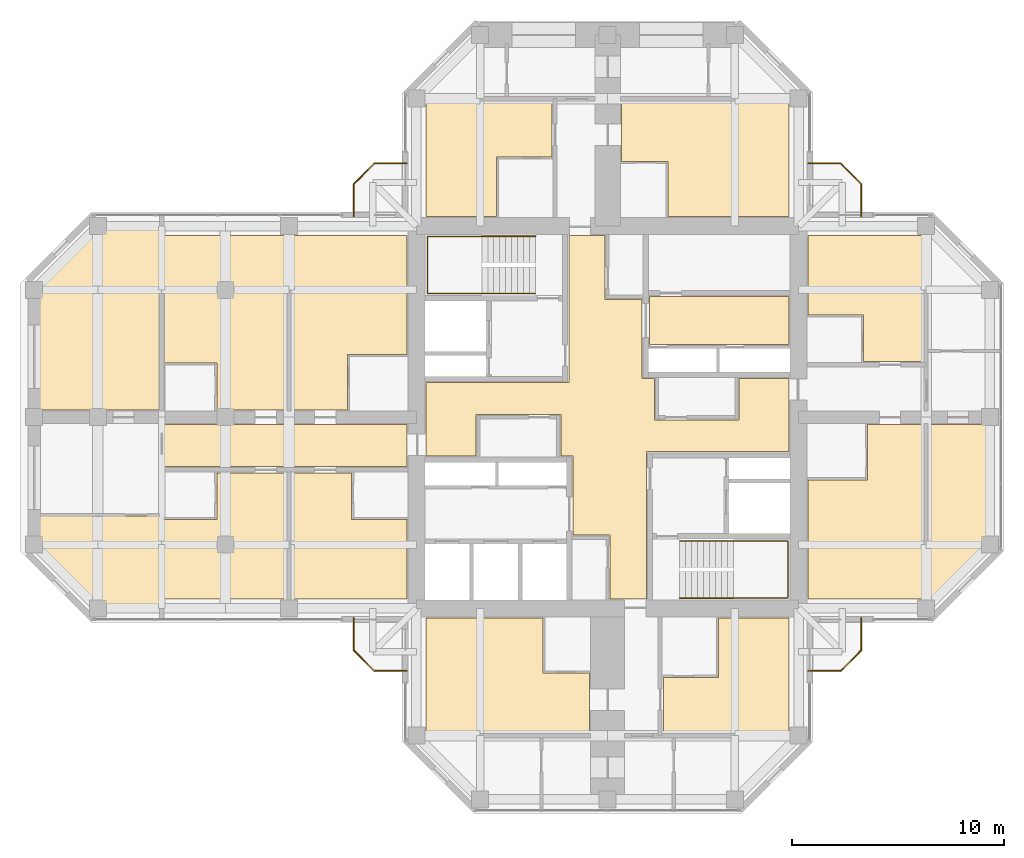
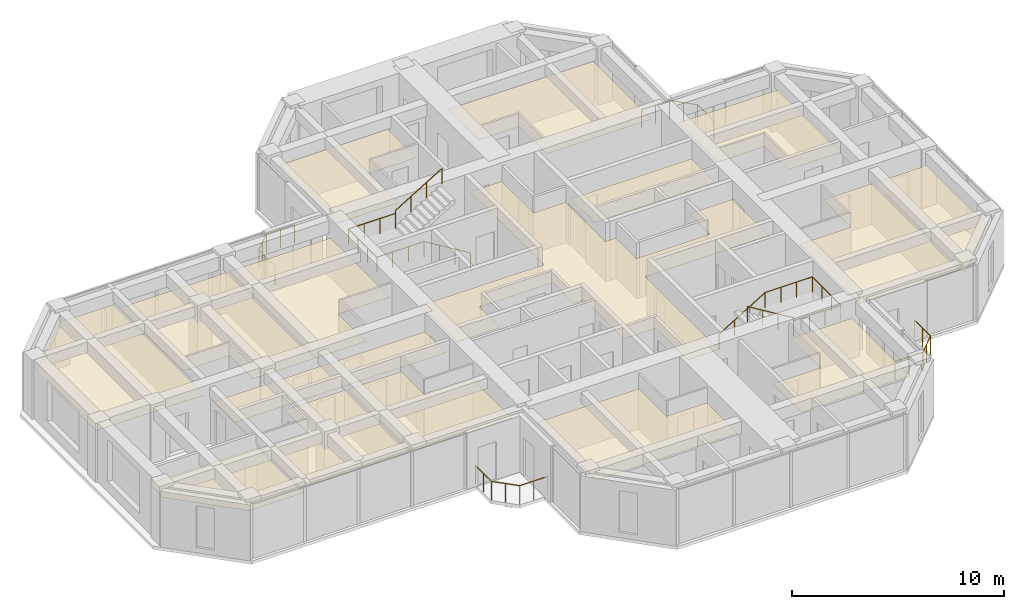
# One storey, part 14 of 14: 16 coverings, 8 railings.
"""IFC4 building model written with IfcOpenShell, lengths in metres."""

from ifc_helpers import new_model, si_unit, direction, frame, origin, origin_2d, place, context, subcontext, project, spatial, polyline, circle, outline, extrude, material, layer, layer_set, constituent, constituent_set, type_object, element, save


model = new_model("IFC4")

# Units and contexts
model_context = context("Model", 3, precision=1e-05, world=origin(), true_north=direction((0.0, 1.0)))
body_context = subcontext(model_context, "Body", "Model", "MODEL_VIEW")
ifc_project = project(units=[si_unit("LENGTHUNIT", "METRE"), si_unit("AREAUNIT", "SQUARE_METRE"), si_unit("VOLUMEUNIT", "CUBIC_METRE"), si_unit("PLANEANGLEUNIT", "RADIAN"), si_unit("MASSUNIT", "GRAM", prefix="KILO")], contexts=[model_context])

# Site, building, storey
site_placement = place(None, origin())
site = spatial("IfcSite", under=ifc_project, at=site_placement, CompositionType="ELEMENT")
building_placement = place(site_placement, origin())
building = spatial("IfcBuilding", under=site, at=building_placement, Name="Torre Cruceta", CompositionType="ELEMENT")
storey_placement = place(building_placement, frame((0.0, 0.0, 225.5)))
storey = spatial("IfcBuildingStorey", under=building, at=storey_placement, Name="L57", CompositionType="ELEMENT", Elevation=225.5)

# Railings
ifc_material_1 = material(Name="Stainless steel 1.4401", Category="steel")
ifc_constituent_1 = constituent(ifc_material_1, Name="Frame")
ifc_material_2 = material(Name="Laminated safety glass", Category="glass")
ifc_constituent_2 = constituent(ifc_material_2, Name="Infill")
ifc_constituent_set = constituent_set(constituents=[ifc_constituent_1, ifc_constituent_2], Name="Stainless steel and laminated glass balustrade")
railing_type_1 = type_object("IfcRailingType", Name="BALCONY BALUSTRADE 1100", PredefinedType="BALUSTRADE", material=ifc_constituent_set)
railing_1_placement = place(storey_placement, frame((-9.449951171875, 11.949951171875, 0.0)))
element("IfcRailing", 1, at=railing_1_placement, inside=storey, type_object=railing_type_1, Name="BL1 balcony balustrade L57 N", PredefinedType="BALUSTRADE", context=body_context, shape_type="SweptSolid", body=[
    extrude(circle(Radius=0.02392578125, at=origin_2d()), frame((0.0, 0.0, 1.076171875), z_axis=(-1.0, 0.0, 0.0), x_axis=(0.0, -1.0, 0.0)), (0.0, 0.0, 1.0), 1.529296875),
    extrude(circle(Radius=0.02392578125, at=origin_2d()), frame((-1.529296875, 0.0, 1.076171875), z_axis=(-0.707106781187, -0.707106781187, 0.0), x_axis=(0.707106781187, -0.707106781187, 0.0)), (0.0, 0.0, 1.0), 1.372802734375),
    extrude(circle(Radius=0.02392578125, at=origin_2d()), frame((-2.5, -0.970703125, 1.076171875), z_axis=(0.0, -1.0, 0.0), x_axis=(1.0, 0.0, 0.0)), (0.0, 0.0, 1.0), 1.529296875),
    extrude(circle(Radius=0.02099609375, at=origin_2d()), origin(), (0.0, 0.0, 1.0), 1.052001953125),
    extrude(circle(Radius=0.02099609375, at=origin_2d()), frame((-0.7646484375, 0.0, 0.0)), (0.0, 0.0, 1.0), 1.052001953125),
    extrude(circle(Radius=0.02099609375, at=origin_2d()), frame((-1.529296875, 0.0, 0.0)), (0.0, 0.0, 1.0), 1.052001953125),
    extrude(circle(Radius=0.02099609375, at=origin_2d()), frame((-2.0146484375, -0.4853515625, 0.0)), (0.0, 0.0, 1.0), 1.052001953125),
    extrude(circle(Radius=0.02099609375, at=origin_2d()), frame((-2.5, -0.970703125, 0.0)), (0.0, 0.0, 1.0), 1.052001953125),
    extrude(circle(Radius=0.02099609375, at=origin_2d()), frame((-2.5, -1.7353515625, 0.0)), (0.0, 0.0, 1.0), 1.052001953125),
    extrude(circle(Radius=0.02099609375, at=origin_2d()), frame((-2.5, -2.5, 0.0)), (0.0, 0.0, 1.0), 1.052001953125),
])
railing_2_placement = place(storey_placement, frame((9.449951171875, 11.949951171875, 0.0)))
element("IfcRailing", 2, at=railing_2_placement, inside=storey, type_object=railing_type_1, Name="BL1 balcony balustrade L57 E", PredefinedType="BALUSTRADE", context=body_context, shape_type="SweptSolid", body=[
    extrude(circle(Radius=0.02392578125, at=origin_2d()), frame((0.0, 0.0, 1.076171875), z_axis=(1.0, 0.0, 0.0), x_axis=(0.0, 1.0, 0.0)), (0.0, 0.0, 1.0), 1.529296875),
    extrude(circle(Radius=0.02392578125, at=origin_2d()), frame((1.529296875, 0.0, 1.076171875), z_axis=(0.707106781187, -0.707106781187, 0.0), x_axis=(0.707106781187, 0.707106781187, 0.0)), (0.0, 0.0, 1.0), 1.372802734375),
    extrude(circle(Radius=0.02392578125, at=origin_2d()), frame((2.5, -0.970703125, 1.076171875), z_axis=(0.0, -1.0, 0.0), x_axis=(1.0, 0.0, 0.0)), (0.0, 0.0, 1.0), 1.529296875),
    extrude(circle(Radius=0.02099609375, at=origin_2d()), origin(), (0.0, 0.0, 1.0), 1.052001953125),
    extrude(circle(Radius=0.02099609375, at=origin_2d()), frame((0.7646484375, 0.0, 0.0)), (0.0, 0.0, 1.0), 1.052001953125),
    extrude(circle(Radius=0.02099609375, at=origin_2d()), frame((1.529296875, 0.0, 0.0)), (0.0, 0.0, 1.0), 1.052001953125),
    extrude(circle(Radius=0.02099609375, at=origin_2d()), frame((2.0146484375, -0.4853515625, 0.0)), (0.0, 0.0, 1.0), 1.052001953125),
    extrude(circle(Radius=0.02099609375, at=origin_2d()), frame((2.5, -0.970703125, 0.0)), (0.0, 0.0, 1.0), 1.052001953125),
    extrude(circle(Radius=0.02099609375, at=origin_2d()), frame((2.5, -1.7353515625, 0.0)), (0.0, 0.0, 1.0), 1.052001953125),
    extrude(circle(Radius=0.02099609375, at=origin_2d()), frame((2.5, -2.5, 0.0)), (0.0, 0.0, 1.0), 1.052001953125),
])
railing_3_placement = place(storey_placement, frame((9.449951171875, -11.949951171875, 0.0)))
element("IfcRailing", 3, at=railing_3_placement, inside=storey, type_object=railing_type_1, Name="BL1 balcony balustrade L57 S", PredefinedType="BALUSTRADE", context=body_context, shape_type="SweptSolid", body=[
    extrude(circle(Radius=0.02392578125, at=origin_2d()), frame((0.0, 0.0, 1.076171875), z_axis=(1.0, 0.0, 0.0), x_axis=(0.0, 1.0, 0.0)), (0.0, 0.0, 1.0), 1.529296875),
    extrude(circle(Radius=0.02392578125, at=origin_2d()), frame((1.529296875, 0.0, 1.076171875), z_axis=(0.707106781187, 0.707106781187, 0.0), x_axis=(-0.707106781187, 0.707106781187, 0.0)), (0.0, 0.0, 1.0), 1.372802734375),
    extrude(circle(Radius=0.02392578125, at=origin_2d()), frame((2.5, 0.970703125, 1.076171875), z_axis=(0.0, 1.0, 0.0), x_axis=(-1.0, 0.0, 0.0)), (0.0, 0.0, 1.0), 1.529296875),
    extrude(circle(Radius=0.02099609375, at=origin_2d()), origin(), (0.0, 0.0, 1.0), 1.052001953125),
    extrude(circle(Radius=0.02099609375, at=origin_2d()), frame((0.7646484375, 0.0, 0.0)), (0.0, 0.0, 1.0), 1.052001953125),
    extrude(circle(Radius=0.02099609375, at=origin_2d()), frame((1.529296875, 0.0, 0.0)), (0.0, 0.0, 1.0), 1.052001953125),
    extrude(circle(Radius=0.02099609375, at=origin_2d()), frame((2.0146484375, 0.4853515625, 0.0)), (0.0, 0.0, 1.0), 1.052001953125),
    extrude(circle(Radius=0.02099609375, at=origin_2d()), frame((2.5, 0.970703125, 0.0)), (0.0, 0.0, 1.0), 1.052001953125),
    extrude(circle(Radius=0.02099609375, at=origin_2d()), frame((2.5, 1.7353515625, 0.0)), (0.0, 0.0, 1.0), 1.052001953125),
    extrude(circle(Radius=0.02099609375, at=origin_2d()), frame((2.5, 2.5, 0.0)), (0.0, 0.0, 1.0), 1.052001953125),
])
railing_4_placement = place(storey_placement, frame((-9.449951171875, -11.949951171875, 0.0)))
element("IfcRailing", 4, at=railing_4_placement, inside=storey, type_object=railing_type_1, Name="BL1 balcony balustrade L57 W", PredefinedType="BALUSTRADE", context=body_context, shape_type="SweptSolid", body=[
    extrude(circle(Radius=0.02392578125, at=origin_2d()), frame((0.0, 0.0, 1.076171875), z_axis=(-1.0, 0.0, 0.0), x_axis=(0.0, -1.0, 0.0)), (0.0, 0.0, 1.0), 1.529296875),
    extrude(circle(Radius=0.02392578125, at=origin_2d()), frame((-1.529296875, 0.0, 1.076171875), z_axis=(-0.707106781187, 0.707106781187, 0.0), x_axis=(-0.707106781187, -0.707106781187, 0.0)), (0.0, 0.0, 1.0), 1.372802734375),
    extrude(circle(Radius=0.02392578125, at=origin_2d()), frame((-2.5, 0.970703125, 1.076171875), z_axis=(0.0, 1.0, 0.0), x_axis=(-1.0, 0.0, 0.0)), (0.0, 0.0, 1.0), 1.529296875),
    extrude(circle(Radius=0.02099609375, at=origin_2d()), origin(), (0.0, 0.0, 1.0), 1.052001953125),
    extrude(circle(Radius=0.02099609375, at=origin_2d()), frame((-0.7646484375, 0.0, 0.0)), (0.0, 0.0, 1.0), 1.052001953125),
    extrude(circle(Radius=0.02099609375, at=origin_2d()), frame((-1.529296875, 0.0, 0.0)), (0.0, 0.0, 1.0), 1.052001953125),
    extrude(circle(Radius=0.02099609375, at=origin_2d()), frame((-2.0146484375, 0.4853515625, 0.0)), (0.0, 0.0, 1.0), 1.052001953125),
    extrude(circle(Radius=0.02099609375, at=origin_2d()), frame((-2.5, 0.970703125, 0.0)), (0.0, 0.0, 1.0), 1.052001953125),
    extrude(circle(Radius=0.02099609375, at=origin_2d()), frame((-2.5, 1.7353515625, 0.0)), (0.0, 0.0, 1.0), 1.052001953125),
    extrude(circle(Radius=0.02099609375, at=origin_2d()), frame((-2.5, 2.5, 0.0)), (0.0, 0.0, 1.0), 1.052001953125),
])
ifc_material_3 = material(Name="Stainless steel 1.4401", Category="steel")
railing_type_2 = type_object("IfcRailingType", Name="HANDRAIL 900", PredefinedType="HANDRAIL", material=ifc_material_3)
railing_5_placement = place(storey_placement, frame((-3.39990234375, 5.8349609375, 0.169921875)))
element("IfcRailing", 5, at=railing_5_placement, inside=storey, type_object=railing_type_2, Name="Handrail HR1 ST1 L57", PredefinedType="HANDRAIL", context=body_context, shape_type="SweptSolid", body=[
    extrude(circle(Radius=0.02392578125, at=origin_2d()), frame((0.0, 0.0, 0.8759765625), z_axis=(-0.85478489116, 0.0, 0.518982456201), x_axis=(0.0, -1.0, 0.0)), (0.0, 0.0, 1.0), 2.9482421875),
    extrude(circle(Radius=0.02392578125, at=origin_2d()), frame((-2.52001953125, 0.0, 2.40576171875), z_axis=(-1.0, 0.0, 0.0), x_axis=(0.0, -1.0, 0.0)), (0.0, 0.0, 1.0), 2.570068359375),
    extrude(circle(Radius=0.02392578125, at=origin_2d()), frame((-5.090087890625, 0.0, 2.40576171875), z_axis=(0.0, 1.0, 0.0), x_axis=(-1.0, 0.0, 0.0)), (0.0, 0.0, 1.0), 2.679931640625),
    extrude(circle(Radius=0.02392578125, at=origin_2d()), frame((-5.090087890625, 2.679931640625, 2.40576171875), z_axis=(1.0, 0.0, 0.0), x_axis=(0.0, 1.0, 0.0)), (0.0, 0.0, 1.0), 2.570068359375),
    extrude(circle(Radius=0.02099609375, at=origin_2d()), origin(), (0.0, 0.0, 1.0), 0.851806640625),
    extrude(circle(Radius=0.02099609375, at=origin_2d()), frame((-0.840087890625, 0.0, 0.510009765625)), (0.0, 0.0, 1.0), 0.851806640625),
    extrude(circle(Radius=0.02099609375, at=origin_2d()), frame((-1.679931640625, 0.0, 1.02001953125)), (0.0, 0.0, 1.0), 0.851806640625),
    extrude(circle(Radius=0.02099609375, at=origin_2d()), frame((-2.52001953125, 0.0, 1.530029296875)), (0.0, 0.0, 1.0), 0.851806640625),
    extrude(circle(Radius=0.02099609375, at=origin_2d()), frame((-3.376708984375, 0.0, 1.530029296875)), (0.0, 0.0, 1.0), 0.851806640625),
    extrude(circle(Radius=0.02099609375, at=origin_2d()), frame((-4.2333984375, 0.0, 1.530029296875)), (0.0, 0.0, 1.0), 0.851806640625),
    extrude(circle(Radius=0.02099609375, at=origin_2d()), frame((-5.090087890625, 0.0, 1.530029296875)), (0.0, 0.0, 1.0), 0.851806640625),
    extrude(circle(Radius=0.02099609375, at=origin_2d()), frame((-5.090087890625, 0.893310546875, 1.530029296875)), (0.0, 0.0, 1.0), 0.851806640625),
    extrude(circle(Radius=0.02099609375, at=origin_2d()), frame((-5.090087890625, 1.78662109375, 1.530029296875)), (0.0, 0.0, 1.0), 0.851806640625),
    extrude(circle(Radius=0.02099609375, at=origin_2d()), frame((-5.090087890625, 2.679931640625, 1.530029296875)), (0.0, 0.0, 1.0), 0.851806640625),
    extrude(circle(Radius=0.02099609375, at=origin_2d()), frame((-4.2333984375, 2.679931640625, 1.530029296875)), (0.0, 0.0, 1.0), 0.851806640625),
    extrude(circle(Radius=0.02099609375, at=origin_2d()), frame((-3.376708984375, 2.679931640625, 1.530029296875)), (0.0, 0.0, 1.0), 0.851806640625),
    extrude(circle(Radius=0.02099609375, at=origin_2d()), frame((-2.52001953125, 2.679931640625, 1.530029296875)), (0.0, 0.0, 1.0), 0.851806640625),
])
railing_6_placement = place(storey_placement, frame((-5.919921875, 8.514892578125, 1.8701171875)))
element("IfcRailing", 6, at=railing_6_placement, inside=storey, type_object=railing_type_2, Name="Handrail HR1 ST1 L57", PredefinedType="HANDRAIL", context=body_context, shape_type="SweptSolid", body=[
    extrude(circle(Radius=0.02392578125, at=origin_2d()), frame((0.0, 0.0, 0.8759765625), z_axis=(0.854821627497, 0.0, 0.518921945155), x_axis=(0.0, 1.0, 0.0)), (0.0, 0.0, 1.0), 2.947998046875),
    extrude(circle(Radius=0.02099609375, at=origin_2d()), origin(), (0.0, 0.0, 1.0), 0.851806640625),
    extrude(circle(Radius=0.02099609375, at=origin_2d()), frame((0.840087890625, 0.0, 0.510009765625)), (0.0, 0.0, 1.0), 0.851806640625),
    extrude(circle(Radius=0.02099609375, at=origin_2d()), frame((1.679931640625, 0.0, 1.019775390625)), (0.0, 0.0, 1.0), 0.851806640625),
    extrude(circle(Radius=0.02099609375, at=origin_2d()), frame((2.52001953125, 0.0, 1.52978515625)), (0.0, 0.0, 1.0), 0.851806640625),
])
railing_7_placement = place(storey_placement, frame((3.39990234375, -5.8349609375, 0.169921875)))
element("IfcRailing", 7, at=railing_7_placement, inside=storey, type_object=railing_type_2, Name="Handrail HR1 ST2 L57", PredefinedType="HANDRAIL", context=body_context, shape_type="SweptSolid", body=[
    extrude(circle(Radius=0.02392578125, at=origin_2d()), frame((0.0, 0.0, 0.8759765625), z_axis=(0.85478489116, 0.0, 0.518982456201), x_axis=(0.0, 1.0, 0.0)), (0.0, 0.0, 1.0), 2.9482421875),
    extrude(circle(Radius=0.02392578125, at=origin_2d()), frame((2.52001953125, 0.0, 2.40576171875), z_axis=(1.0, 0.0, 0.0), x_axis=(0.0, 1.0, 0.0)), (0.0, 0.0, 1.0), 2.570068359375),
    extrude(circle(Radius=0.02392578125, at=origin_2d()), frame((5.090087890625, 0.0, 2.40576171875), z_axis=(0.0, -1.0, 0.0), x_axis=(1.0, 0.0, 0.0)), (0.0, 0.0, 1.0), 2.679931640625),
    extrude(circle(Radius=0.02392578125, at=origin_2d()), frame((5.090087890625, -2.679931640625, 2.40576171875), z_axis=(-1.0, 0.0, 0.0), x_axis=(0.0, -1.0, 0.0)), (0.0, 0.0, 1.0), 2.570068359375),
    extrude(circle(Radius=0.02099609375, at=origin_2d()), origin(), (0.0, 0.0, 1.0), 0.851806640625),
    extrude(circle(Radius=0.02099609375, at=origin_2d()), frame((0.840087890625, 0.0, 0.510009765625)), (0.0, 0.0, 1.0), 0.851806640625),
    extrude(circle(Radius=0.02099609375, at=origin_2d()), frame((1.679931640625, 0.0, 1.02001953125)), (0.0, 0.0, 1.0), 0.851806640625),
    extrude(circle(Radius=0.02099609375, at=origin_2d()), frame((2.52001953125, 0.0, 1.530029296875)), (0.0, 0.0, 1.0), 0.851806640625),
    extrude(circle(Radius=0.02099609375, at=origin_2d()), frame((3.376708984375, 0.0, 1.530029296875)), (0.0, 0.0, 1.0), 0.851806640625),
    extrude(circle(Radius=0.02099609375, at=origin_2d()), frame((4.2333984375, 0.0, 1.530029296875)), (0.0, 0.0, 1.0), 0.851806640625),
    extrude(circle(Radius=0.02099609375, at=origin_2d()), frame((5.090087890625, 0.0, 1.530029296875)), (0.0, 0.0, 1.0), 0.851806640625),
    extrude(circle(Radius=0.02099609375, at=origin_2d()), frame((5.090087890625, -0.893310546875, 1.530029296875)), (0.0, 0.0, 1.0), 0.851806640625),
    extrude(circle(Radius=0.02099609375, at=origin_2d()), frame((5.090087890625, -1.78662109375, 1.530029296875)), (0.0, 0.0, 1.0), 0.851806640625),
    extrude(circle(Radius=0.02099609375, at=origin_2d()), frame((5.090087890625, -2.679931640625, 1.530029296875)), (0.0, 0.0, 1.0), 0.851806640625),
    extrude(circle(Radius=0.02099609375, at=origin_2d()), frame((4.2333984375, -2.679931640625, 1.530029296875)), (0.0, 0.0, 1.0), 0.851806640625),
    extrude(circle(Radius=0.02099609375, at=origin_2d()), frame((3.376708984375, -2.679931640625, 1.530029296875)), (0.0, 0.0, 1.0), 0.851806640625),
    extrude(circle(Radius=0.02099609375, at=origin_2d()), frame((2.52001953125, -2.679931640625, 1.530029296875)), (0.0, 0.0, 1.0), 0.851806640625),
])
railing_8_placement = place(storey_placement, frame((5.919921875, -8.514892578125, 1.8701171875)))
element("IfcRailing", 8, at=railing_8_placement, inside=storey, type_object=railing_type_2, Name="Handrail HR1 ST2 L57", PredefinedType="HANDRAIL", context=body_context, shape_type="SweptSolid", body=[
    extrude(circle(Radius=0.02392578125, at=origin_2d()), frame((0.0, 0.0, 0.8759765625), z_axis=(-0.854821627497, 0.0, 0.518921945155), x_axis=(0.0, -1.0, 0.0)), (0.0, 0.0, 1.0), 2.947998046875),
    extrude(circle(Radius=0.02099609375, at=origin_2d()), origin(), (0.0, 0.0, 1.0), 0.851806640625),
    extrude(circle(Radius=0.02099609375, at=origin_2d()), frame((-0.840087890625, 0.0, 0.510009765625)), (0.0, 0.0, 1.0), 0.851806640625),
    extrude(circle(Radius=0.02099609375, at=origin_2d()), frame((-1.679931640625, 0.0, 1.019775390625)), (0.0, 0.0, 1.0), 0.851806640625),
    extrude(circle(Radius=0.02099609375, at=origin_2d()), frame((-2.52001953125, 0.0, 1.52978515625)), (0.0, 0.0, 1.0), 0.851806640625),
])

# Coverings
ifc_material_4 = material(Name="Mineral fibre ceiling tile", Category="gypsum")
ifc_layer = layer(ifc_material_4, 0.02001953125)
ifc_layer_set = layer_set([ifc_layer], Name="Mineral fibre ceiling tile")
covering_type = type_object("IfcCoveringType", Name="SUSPENDED CEILING 20", PredefinedType="CEILING", material=ifc_layer_set)
covering_1_placement = place(storey_placement, frame((0.0, 0.0, 2.35009765625)))
element("IfcCovering", 9, at=covering_1_placement, inside=storey, type_object=covering_type, Name="Ceiling L57-002", PredefinedType="CEILING", context=body_context, shape_type="SweptSolid", body=[
    extrude(outline(polyline([(1.824951171875, -8.550048828125), (0.125, -8.550048828125), (0.125, -5.550048828125), (-1.625, -5.550048828125), (-1.625, -1.824951171875), (-2.199951171875, -1.824951171875), (-2.199951171875, 0.125), (-6.199951171875, 0.125), (-6.199951171875, -1.824951171875), (-8.550048828125, -1.824951171875), (-8.550048828125, 1.625), (-1.824951171875, 1.625), (-1.824951171875, 8.550048828125), (-0.125, 8.550048828125), (-0.125, 5.550048828125), (1.625, 5.550048828125), (1.625, 1.824951171875), (2.199951171875, 1.824951171875), (2.199951171875, -0.125), (6.199951171875, -0.125), (6.199951171875, 1.824951171875), (8.550048828125, 1.824951171875), (8.550048828125, -1.625), (1.824951171875, -1.625), (1.824951171875, -8.550048828125)])), origin(), (0.0, 0.0, 1.0), 0.02001953125),
])
covering_2_placement = place(storey_placement, frame((0.0, 0.0, 2.35009765625)))
element("IfcCovering", 10, at=covering_2_placement, inside=storey, type_object=covering_type, Name="Ceiling L57-007", PredefinedType="CEILING", context=body_context, shape_type="SweptSolid", body=[
    extrude(outline(polyline([(1.97509765625, 3.425048828125), (1.97509765625, 5.675048828125), (8.550048828125, 5.675048828125), (8.550048828125, 3.425048828125), (1.97509765625, 3.425048828125)])), origin(), (0.0, 0.0, 1.0), 0.02001953125),
])
covering_3_placement = place(storey_placement, frame((0.0, 0.0, 2.35009765625)))
element("IfcCovering", 11, at=covering_3_placement, inside=storey, type_object=covering_type, Name="Ceiling L57-025", PredefinedType="CEILING", context=body_context, shape_type="SweptSolid", body=[
    extrude(outline(polyline([(-8.550048828125, 9.449951171875), (-8.550048828125, 14.949951171875), (-2.625, 14.949951171875), (-2.625, 12.25), (-5.22509765625, 12.25), (-5.22509765625, 9.449951171875), (-8.550048828125, 9.449951171875)])), origin(), (0.0, 0.0, 1.0), 0.02001953125),
])
covering_4_placement = place(storey_placement, frame((0.0, 0.0, 2.35009765625)))
element("IfcCovering", 12, at=covering_4_placement, inside=storey, type_object=covering_type, Name="Ceiling L57-027", PredefinedType="CEILING", context=body_context, shape_type="SweptSolid", body=[
    extrude(outline(polyline([(0.64990234375, 14.949951171875), (8.550048828125, 14.949951171875), (8.550048828125, 9.449951171875), (2.85009765625, 9.449951171875), (2.85009765625, 12.050048828125), (0.64990234375, 12.050048828125), (0.64990234375, 14.949951171875)])), origin(), (0.0, 0.0, 1.0), 0.02001953125),
])
covering_5_placement = place(storey_placement, frame((0.0, 0.0, 2.35009765625)))
element("IfcCovering", 13, at=covering_5_placement, inside=storey, type_object=covering_type, Name="Ceiling L57-034", PredefinedType="CEILING", context=body_context, shape_type="SweptSolid", body=[
    extrude(outline(polyline([(9.449951171875, 8.550048828125), (14.949951171875, 8.550048828125), (14.949951171875, 2.625), (12.050048828125, 2.625), (12.050048828125, 4.824951171875), (9.449951171875, 4.824951171875), (9.449951171875, 8.550048828125)])), origin(), (0.0, 0.0, 1.0), 0.02001953125),
])
covering_6_placement = place(storey_placement, frame((0.0, 0.0, 2.35009765625)))
element("IfcCovering", 14, at=covering_6_placement, inside=storey, type_object=covering_type, Name="Ceiling L57-036", PredefinedType="CEILING", context=body_context, shape_type="SweptSolid", body=[
    extrude(outline(polyline([(14.949951171875, -0.35009765625), (14.949951171875, -8.550048828125), (9.449951171875, -8.550048828125), (9.449951171875, -2.949951171875), (12.25, -2.949951171875), (12.25, -0.35009765625), (14.949951171875, -0.35009765625)])), origin(), (0.0, 0.0, 1.0), 0.02001953125),
])
covering_7_placement = place(storey_placement, frame((0.0, 0.0, 2.35009765625)))
element("IfcCovering", 15, at=covering_7_placement, inside=storey, type_object=covering_type, Name="Ceiling L57-040", PredefinedType="CEILING", context=body_context, shape_type="SweptSolid", body=[
    extrude(outline(polyline([(15.050048828125, -8.87939453125), (15.050048828125, -0.35009765625), (17.949951171875, -0.35009765625), (17.949951171875, -5.979248046875), (15.050048828125, -8.87939453125)])), origin(), (0.0, 0.0, 1.0), 0.02001953125),
])
covering_8_placement = place(storey_placement, frame((0.0, 0.0, 2.35009765625)))
element("IfcCovering", 16, at=covering_8_placement, inside=storey, type_object=covering_type, Name="Ceiling L57-042", PredefinedType="CEILING", context=body_context, shape_type="SweptSolid", body=[
    extrude(outline(polyline([(8.550048828125, -9.449951171875), (8.550048828125, -14.949951171875), (2.625, -14.949951171875), (2.625, -12.25), (5.22509765625, -12.25), (5.22509765625, -9.449951171875), (8.550048828125, -9.449951171875)])), origin(), (0.0, 0.0, 1.0), 0.02001953125),
])
covering_9_placement = place(storey_placement, frame((0.0, 0.0, 2.35009765625)))
element("IfcCovering", 17, at=covering_9_placement, inside=storey, type_object=covering_type, Name="Ceiling L57-044", PredefinedType="CEILING", context=body_context, shape_type="SweptSolid", body=[
    extrude(outline(polyline([(-0.85009765625, -14.949951171875), (-8.550048828125, -14.949951171875), (-8.550048828125, -9.449951171875), (-3.050048828125, -9.449951171875), (-3.050048828125, -12.050048828125), (-0.85009765625, -12.050048828125), (-0.85009765625, -14.949951171875)])), origin(), (0.0, 0.0, 1.0), 0.02001953125),
])
covering_10_placement = place(storey_placement, frame((0.0, 0.0, 2.35009765625)))
element("IfcCovering", 18, at=covering_10_placement, inside=storey, type_object=covering_type, Name="Ceiling L57-050", PredefinedType="CEILING", context=body_context, shape_type="SweptSolid", body=[
    extrude(outline(polyline([(-9.449951171875, -0.35009765625), (-9.449951171875, -2.324951171875), (-20.949951171875, -2.324951171875), (-20.949951171875, -0.35009765625), (-9.449951171875, -0.35009765625)])), origin(), (0.0, 0.0, 1.0), 0.02001953125),
])
covering_11_placement = place(storey_placement, frame((0.0, 0.0, 2.35009765625)))
element("IfcCovering", 19, at=covering_11_placement, inside=storey, type_object=covering_type, Name="Ceiling L57-051", PredefinedType="CEILING", context=body_context, shape_type="SweptSolid", body=[
    extrude(outline(polyline([(-9.449951171875, -8.550048828125), (-14.949951171875, -8.550048828125), (-14.949951171875, -2.625), (-12.050048828125, -2.625), (-12.050048828125, -4.824951171875), (-9.449951171875, -4.824951171875), (-9.449951171875, -8.550048828125)])), origin(), (0.0, 0.0, 1.0), 0.02001953125),
])
covering_12_placement = place(storey_placement, frame((0.0, 0.0, 2.35009765625)))
element("IfcCovering", 20, at=covering_12_placement, inside=storey, type_object=covering_type, Name="Ceiling L57-053", PredefinedType="CEILING", context=body_context, shape_type="SweptSolid", body=[
    extrude(outline(polyline([(-14.949951171875, 0.35009765625), (-14.949951171875, 8.550048828125), (-9.449951171875, 8.550048828125), (-9.449951171875, 2.949951171875), (-12.25, 2.949951171875), (-12.25, 0.35009765625), (-14.949951171875, 0.35009765625)])), origin(), (0.0, 0.0, 1.0), 0.02001953125),
])
covering_13_placement = place(storey_placement, frame((0.0, 0.0, 2.35009765625)))
element("IfcCovering", 21, at=covering_13_placement, inside=storey, type_object=covering_type, Name="Ceiling L57-055", PredefinedType="CEILING", context=body_context, shape_type="SweptSolid", body=[
    extrude(outline(polyline([(-15.050048828125, -2.625), (-15.050048828125, -8.550048828125), (-20.949951171875, -8.550048828125), (-20.949951171875, -4.824951171875), (-18.39990234375, -4.824951171875), (-18.39990234375, -2.625), (-15.050048828125, -2.625)])), origin(), (0.0, 0.0, 1.0), 0.02001953125),
])
covering_14_placement = place(storey_placement, frame((0.0, 0.0, 2.35009765625)))
element("IfcCovering", 22, at=covering_14_placement, inside=storey, type_object=covering_type, Name="Ceiling L57-057", PredefinedType="CEILING", context=body_context, shape_type="SweptSolid", body=[
    extrude(outline(polyline([(-20.949951171875, 8.550048828125), (-15.050048828125, 8.550048828125), (-15.050048828125, 0.35009765625), (-18.39990234375, 0.35009765625), (-18.39990234375, 2.550048828125), (-20.949951171875, 2.550048828125), (-20.949951171875, 8.550048828125)])), origin(), (0.0, 0.0, 1.0), 0.02001953125),
])
covering_15_placement = place(storey_placement, frame((0.0, 0.0, 2.35009765625)))
element("IfcCovering", 23, at=covering_15_placement, inside=storey, type_object=covering_type, Name="Ceiling L57-060", PredefinedType="CEILING", context=body_context, shape_type="SweptSolid", body=[
    extrude(outline(polyline([(-23.979248046875, -8.949951171875), (-26.949951171875, -5.979248046875), (-26.949951171875, -4.64990234375), (-21.050048828125, -4.64990234375), (-21.050048828125, -8.949951171875), (-23.979248046875, -8.949951171875)])), origin(), (0.0, 0.0, 1.0), 0.02001953125),
])
covering_16_placement = place(storey_placement, frame((0.0, 0.0, 2.35009765625)))
element("IfcCovering", 24, at=covering_16_placement, inside=storey, type_object=covering_type, Name="Ceiling L57-061", PredefinedType="CEILING", context=body_context, shape_type="SweptSolid", body=[
    extrude(outline(polyline([(-23.979248046875, 8.949951171875), (-21.050048828125, 8.949951171875), (-21.050048828125, 0.35009765625), (-26.949951171875, 0.35009765625), (-26.949951171875, 5.979248046875), (-23.979248046875, 8.949951171875)])), origin(), (0.0, 0.0, 1.0), 0.02001953125),
])

save(model, "model.ifc")
